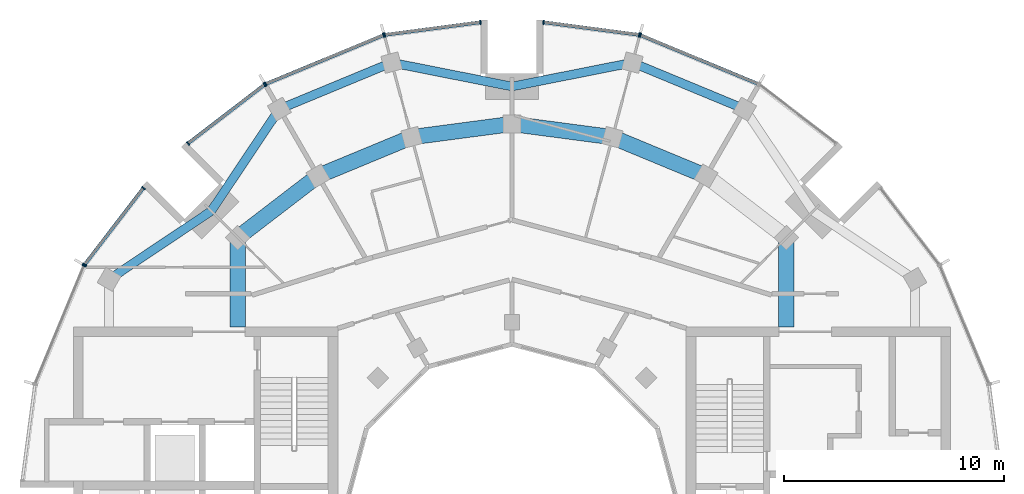
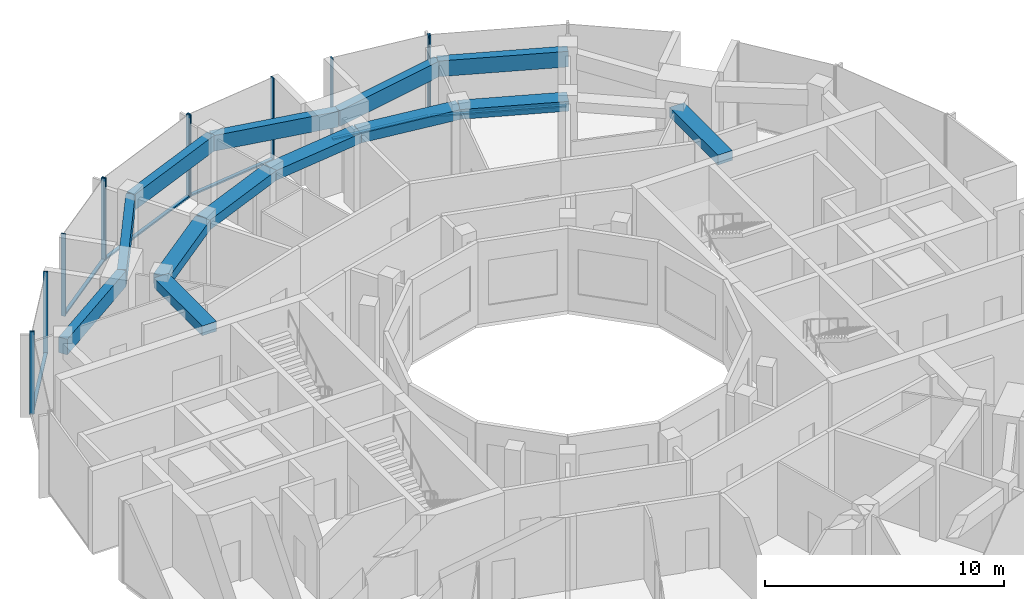
# One storey, part 5 of 14: 18 members, 13 beams, 7 elements without a shape of their own.
"""IFC4 building model written with IfcOpenShell, lengths in metres."""

from ifc_helpers import new_model, si_unit, direction, frame, origin, origin_2d, place, context, subcontext, project, spatial, rectangle, extrude, material, layer, layer_set, material_profile, profile_set, type_object, element, aggregate, save


model = new_model("IFC4")

# Units and contexts
model_context = context("Model", 3, precision=1e-05, world=origin(), true_north=direction((0.0, 1.0)))
body_context = subcontext(model_context, "Body", "Model", "MODEL_VIEW")
ifc_project = project(units=[si_unit("LENGTHUNIT", "METRE"), si_unit("AREAUNIT", "SQUARE_METRE"), si_unit("VOLUMEUNIT", "CUBIC_METRE"), si_unit("PLANEANGLEUNIT", "RADIAN"), si_unit("MASSUNIT", "GRAM", prefix="KILO")], contexts=[model_context])

# Site, building, storey
site_placement = place(None, origin())
site = spatial("IfcSite", under=ifc_project, at=site_placement, CompositionType="ELEMENT")
building_placement = place(site_placement, origin())
building = spatial("IfcBuilding", under=site, at=building_placement, Name="Torre Brocal", CompositionType="ELEMENT")
storey_placement = place(building_placement, frame((0.0, 0.0, 305.10009765625)))
storey = spatial("IfcBuildingStorey", under=building, at=storey_placement, Name="L70", CompositionType="ELEMENT", Elevation=305.10009765625)

# Curtain wall, member
ifc_material_1 = material(Name="Aluminium and glass", Category="aluminium")
ifc_layer = layer(ifc_material_1, 0.199951171875)
ifc_layer_set = layer_set([ifc_layer], Name="Aluminium and glass")
curtain_wall_type = type_object("IfcCurtainWallType", Name="CW-1 CURTAIN WALL 4200 HIGH", PredefinedType="NOTDEFINED", material=ifc_layer_set)
curtain_wall_1_placement = place(storey_placement, origin())
curtain_wall_1 = element("IfcCurtainWall", 1, at=curtain_wall_1_placement, inside=storey, type_object=curtain_wall_type, Name="CW-1 RUN 5", PredefinedType="NOTDEFINED")
ifc_material_2 = material(Name="Aluminium, dark anodised", Category="aluminium")
ifc_material_profile_1 = material_profile(ifc_material_2, rectangle(XDim=0.199951171875, YDim=0.06005859375, at=origin_2d()), Name="CW-1 MULLION 60X200")
ifc_profile_set_1 = profile_set([ifc_material_profile_1], Name="Aluminium, dark anodised")
member_type_1 = type_object("IfcMemberType", Name="CW-1 MULLION 60X200", PredefinedType="MULLION", material=ifc_profile_set_1)
member_1_placement = place(storey_placement, frame((85.824951171875, 96.62451171875, 0.0), z_axis=(0.0, 0.0, 1.0), x_axis=(-0.382683432284, -0.923879532545, 0.0)))
member_1 = element("IfcMember", 2, at=member_1_placement, type_object=member_type_1, Name="CW1-5 mullion 2", PredefinedType="MULLION", context=body_context, shape_type="SweptSolid", body=[
    extrude(rectangle(XDim=0.199951171875, YDim=0.06005859375, at=origin_2d()), origin(), (0.0, 0.0, 1.0), 4.199951171875),
])

# Curtain wall, members
curtain_wall_2_placement = place(storey_placement, origin())
curtain_wall_2 = element("IfcCurtainWall", 3, at=curtain_wall_2_placement, inside=storey, type_object=curtain_wall_type, Name="CW-1 RUN 6", PredefinedType="NOTDEFINED")
member_2_placement = place(storey_placement, frame((85.767578125, 96.639892578125, 0.0), z_axis=(0.0, 0.0, 1.0), x_axis=(-0.13052619222, -0.991444861374, 0.0)))
member_2 = element("IfcMember", 4, at=member_2_placement, type_object=member_type_1, Name="CW1-5 mullion 1", PredefinedType="MULLION", context=body_context, shape_type="SweptSolid", body=[
    extrude(rectangle(XDim=0.199951171875, YDim=0.06005859375, at=origin_2d()), origin(), (0.0, 0.0, 1.0), 4.199951171875),
])
member_3_placement = place(storey_placement, frame((81.4296875, 97.2109375, 0.0), z_axis=(0.0, 0.0, 1.0), x_axis=(-0.13052619222, -0.991444861374, 0.0)))
member_3 = element("IfcMember", 5, at=member_3_placement, type_object=member_type_1, Name="CW1-5 mullion 2", PredefinedType="MULLION", context=body_context, shape_type="SweptSolid", body=[
    extrude(rectangle(XDim=0.199951171875, YDim=0.06005859375, at=origin_2d()), origin(), (0.0, 0.0, 1.0), 4.199951171875),
])

curtain_wall_3_placement = place(storey_placement, origin())
curtain_wall_3 = element("IfcCurtainWall", 6, at=curtain_wall_3_placement, inside=storey, type_object=curtain_wall_type, Name="CW-1 RUN 7", PredefinedType="NOTDEFINED")
member_4_placement = place(storey_placement, frame((78.5703125, 97.2109375, 0.0), z_axis=(0.0, 0.0, 1.0), x_axis=(0.13052619222, -0.991444861374, 0.0)))
member_4 = element("IfcMember", 7, at=member_4_placement, type_object=member_type_1, Name="CW1-5 mullion 1", PredefinedType="MULLION", context=body_context, shape_type="SweptSolid", body=[
    extrude(rectangle(XDim=0.199951171875, YDim=0.06005859375, at=origin_2d()), origin(), (0.0, 0.0, 1.0), 4.199951171875),
])
member_5_placement = place(storey_placement, frame((74.232421875, 96.639892578125, 0.0), z_axis=(0.0, 0.0, 1.0), x_axis=(0.13052619222, -0.991444861374, 0.0)))
member_5 = element("IfcMember", 8, at=member_5_placement, type_object=member_type_1, Name="CW1-5 mullion 2", PredefinedType="MULLION", context=body_context, shape_type="SweptSolid", body=[
    extrude(rectangle(XDim=0.199951171875, YDim=0.06005859375, at=origin_2d()), origin(), (0.0, 0.0, 1.0), 4.199951171875),
])

curtain_wall_4_placement = place(storey_placement, origin())
curtain_wall_4 = element("IfcCurtainWall", 9, at=curtain_wall_4_placement, inside=storey, type_object=curtain_wall_type, Name="CW-1 RUN 8", PredefinedType="NOTDEFINED")
member_6_placement = place(storey_placement, frame((74.175048828125, 96.62451171875, 0.0), z_axis=(0.0, 0.0, 1.0), x_axis=(0.382683432284, -0.923879532545, 0.0)))
member_6 = element("IfcMember", 10, at=member_6_placement, type_object=member_type_1, Name="CW1-5 mullion 1", PredefinedType="MULLION", context=body_context, shape_type="SweptSolid", body=[
    extrude(rectangle(XDim=0.199951171875, YDim=0.06005859375, at=origin_2d()), origin(), (0.0, 0.0, 1.0), 4.199951171875),
])
member_7_placement = place(storey_placement, frame((68.828125, 94.40966796875, 0.0), z_axis=(0.0, 0.0, 1.0), x_axis=(0.382683432284, -0.923879532545, 0.0)))
member_7 = element("IfcMember", 11, at=member_7_placement, type_object=member_type_1, Name="CW1-5 mullion 2", PredefinedType="MULLION", context=body_context, shape_type="SweptSolid", body=[
    extrude(rectangle(XDim=0.199951171875, YDim=0.06005859375, at=origin_2d()), origin(), (0.0, 0.0, 1.0), 4.199951171875),
])

curtain_wall_5_placement = place(storey_placement, origin())
curtain_wall_5 = element("IfcCurtainWall", 12, at=curtain_wall_5_placement, inside=storey, type_object=curtain_wall_type, Name="CW-1 RUN 9", PredefinedType="NOTDEFINED")
member_8_placement = place(storey_placement, frame((68.776611328125, 94.3798828125, 0.0), z_axis=(0.0, 0.0, 1.0), x_axis=(0.608761429064, -0.793353340249, 0.0)))
member_8 = element("IfcMember", 13, at=member_8_placement, type_object=member_type_1, Name="CW1-5 mullion 1", PredefinedType="MULLION", context=body_context, shape_type="SweptSolid", body=[
    extrude(rectangle(XDim=0.199951171875, YDim=0.06005859375, at=origin_2d()), origin(), (0.0, 0.0, 1.0), 4.199951171875),
])
member_9_placement = place(storey_placement, frame((65.305419921875, 91.716552734375, 0.0), z_axis=(0.0, 0.0, 1.0), x_axis=(0.608761429064, -0.793353340249, 0.0)))
member_9 = element("IfcMember", 14, at=member_9_placement, type_object=member_type_1, Name="CW1-5 mullion 2", PredefinedType="MULLION", context=body_context, shape_type="SweptSolid", body=[
    extrude(rectangle(XDim=0.199951171875, YDim=0.06005859375, at=origin_2d()), origin(), (0.0, 0.0, 1.0), 4.199951171875),
])

curtain_wall_6_placement = place(storey_placement, origin())
curtain_wall_6 = element("IfcCurtainWall", 15, at=curtain_wall_6_placement, inside=storey, type_object=curtain_wall_type, Name="CW-1 RUN 10", PredefinedType="NOTDEFINED")
member_10_placement = place(storey_placement, frame((63.283447265625, 89.694580078125, 0.0), z_axis=(0.0, 0.0, 1.0), x_axis=(0.793353340249, -0.608761429064, 0.0)))
member_10 = element("IfcMember", 16, at=member_10_placement, type_object=member_type_1, Name="CW1-5 mullion 1", PredefinedType="MULLION", context=body_context, shape_type="SweptSolid", body=[
    extrude(rectangle(XDim=0.199951171875, YDim=0.06005859375, at=origin_2d()), origin(), (0.0, 0.0, 1.0), 4.199951171875),
])
member_11_placement = place(storey_placement, frame((60.6201171875, 86.223388671875, 0.0), z_axis=(0.0, 0.0, 1.0), x_axis=(0.793353340249, -0.608761429064, 0.0)))
member_11 = element("IfcMember", 17, at=member_11_placement, type_object=member_type_1, Name="CW1-5 mullion 2", PredefinedType="MULLION", context=body_context, shape_type="SweptSolid", body=[
    extrude(rectangle(XDim=0.199951171875, YDim=0.06005859375, at=origin_2d()), origin(), (0.0, 0.0, 1.0), 4.199951171875),
])

# Curtain wall, member
curtain_wall_7_placement = place(storey_placement, origin())
curtain_wall_7 = element("IfcCurtainWall", 18, at=curtain_wall_7_placement, inside=storey, type_object=curtain_wall_type, Name="CW-1 RUN 11", PredefinedType="NOTDEFINED")
member_12_placement = place(storey_placement, frame((60.59033203125, 86.171875, 0.0), z_axis=(0.0, 0.0, 1.0), x_axis=(0.923879532545, -0.382683432284, 0.0)))
member_12 = element("IfcMember", 19, at=member_12_placement, type_object=member_type_1, Name="CW1-5 mullion 1", PredefinedType="MULLION", context=body_context, shape_type="SweptSolid", body=[
    extrude(rectangle(XDim=0.199951171875, YDim=0.06005859375, at=origin_2d()), origin(), (0.0, 0.0, 1.0), 4.199951171875),
])
aggregate(curtain_wall_7, [member_12])

# Member
ifc_material_3 = material(Name="Aluminium, dark anodised", Category="aluminium")
ifc_material_profile_2 = material_profile(ifc_material_3, rectangle(XDim=0.159912109375, YDim=0.080078125, at=origin_2d()), Name="CW-1 TRANSOM 160X80")
ifc_profile_set_2 = profile_set([ifc_material_profile_2], Name="Aluminium, dark anodised")
member_type_2 = type_object("IfcMemberType", Name="CW-1 TRANSOM 160X80", PredefinedType="USERDEFINED", material=ifc_profile_set_2)
member_13_placement = place(storey_placement, frame((91.14404296875, 94.421142578125, 0.039794921875), z_axis=(-0.923868236854, 0.382710701355, 0.0), x_axis=(-0.382710701355, -0.923868236854, 0.0)))
member_13 = element("IfcMember", 20, at=member_13_placement, type_object=member_type_2, Name="CW1-5 transom 1.1", ObjectType="TRANSOM", PredefinedType="USERDEFINED", context=body_context, shape_type="SweptSolid", body=[
    extrude(rectangle(XDim=0.159912109375, YDim=0.080078125, at=origin_2d()), origin(), (0.0, 0.0, 1.0), 5.727294921875),
])

aggregate(curtain_wall_1, [member_1, member_13])

member_14_placement = place(storey_placement, frame((85.73779296875, 96.643798828125, 0.039794921875), z_axis=(-0.991445435136, 0.130521833991, 0.0), x_axis=(-0.130521833991, -0.991445435136, 0.0)))
member_14 = element("IfcMember", 21, at=member_14_placement, type_object=member_type_2, Name="CW1-5 transom 1.1", ObjectType="TRANSOM", PredefinedType="USERDEFINED", context=body_context, shape_type="SweptSolid", body=[
    extrude(rectangle(XDim=0.159912109375, YDim=0.080078125, at=origin_2d()), origin(), (0.0, 0.0, 1.0), 4.315185546875),
])

aggregate(curtain_wall_2, [member_2, member_3, member_14])

member_15_placement = place(storey_placement, frame((78.54052734375, 97.20703125, 0.039794921875), z_axis=(-0.991445435136, -0.130521833991, 0.0), x_axis=(0.130521833991, -0.991445435136, 0.0)))
member_15 = element("IfcMember", 22, at=member_15_placement, type_object=member_type_2, Name="CW1-5 transom 1.1", ObjectType="TRANSOM", PredefinedType="USERDEFINED", context=body_context, shape_type="SweptSolid", body=[
    extrude(rectangle(XDim=0.159912109375, YDim=0.080078125, at=origin_2d()), origin(), (0.0, 0.0, 1.0), 4.315185546875),
])

aggregate(curtain_wall_3, [member_4, member_5, member_15])

member_16_placement = place(storey_placement, frame((74.147216796875, 96.613037109375, 0.039794921875), z_axis=(-0.923868236854, -0.382710701355, 0.0), x_axis=(0.382710701355, -0.923868236854, 0.0)))
member_16 = element("IfcMember", 23, at=member_16_placement, type_object=member_type_2, Name="CW1-5 transom 1.1", ObjectType="TRANSOM", PredefinedType="USERDEFINED", context=body_context, shape_type="SweptSolid", body=[
    extrude(rectangle(XDim=0.159912109375, YDim=0.080078125, at=origin_2d()), origin(), (0.0, 0.0, 1.0), 5.727294921875),
])

aggregate(curtain_wall_4, [member_6, member_7, member_16])

member_17_placement = place(storey_placement, frame((68.7529296875, 94.36181640625, 0.039794921875), z_axis=(-0.793332201462, -0.608788976677, 0.0), x_axis=(0.608788976677, -0.793332201462, 0.0)))
member_17 = element("IfcMember", 24, at=member_17_placement, type_object=member_type_2, Name="CW1-5 transom 1.1", ObjectType="TRANSOM", PredefinedType="USERDEFINED", context=body_context, shape_type="SweptSolid", body=[
    extrude(rectangle(XDim=0.159912109375, YDim=0.080078125, at=origin_2d()), origin(), (0.0, 0.0, 1.0), 4.3154296875),
])

aggregate(curtain_wall_5, [member_8, member_9, member_17])

member_18_placement = place(storey_placement, frame((63.265380859375, 89.670654296875, 0.039794921875), z_axis=(-0.608788976677, -0.793332201462, 0.0), x_axis=(0.793332201462, -0.608788976677, 0.0)))
member_18 = element("IfcMember", 25, at=member_18_placement, type_object=member_type_2, Name="CW1-5 transom 1.1", ObjectType="TRANSOM", PredefinedType="USERDEFINED", context=body_context, shape_type="SweptSolid", body=[
    extrude(rectangle(XDim=0.159912109375, YDim=0.080078125, at=origin_2d()), origin(), (0.0, 0.0, 1.0), 4.3154296875),
])

aggregate(curtain_wall_6, [member_10, member_11, member_18])

# Beams
ifc_material_4 = material(Name="Concrete C50", Category="concrete")
ifc_material_profile_3 = material_profile(ifc_material_4, rectangle(XDim=0.699951171875, YDim=0.5, at=origin_2d()), Name="RC 700X500")
ifc_profile_set_3 = profile_set([ifc_material_profile_3], Name="Concrete C50")
beam_type_1 = type_object("IfcBeamType", Name="RC BEAM 700X500 C50 TOP 3850", PredefinedType="BEAM", material=ifc_profile_set_3)
beam_1_placement = place(storey_placement, frame((88.800048828125, 90.241943359375, 3.599853515625), z_axis=(-0.923878240166, 0.382686552348, 0.0), x_axis=(-0.382686552348, -0.923878240166, 0.0)))
element("IfcBeam", 26, at=beam_1_placement, inside=storey, type_object=beam_type_1, Name="Beam BT-48", PredefinedType="BEAM", context=body_context, shape_type="SweptSolid", body=[
    extrude(rectangle(XDim=0.699951171875, YDim=0.5, at=origin_2d()), origin(), (0.0, 0.0, 1.0), 4.5947265625),
])
for number, where, z_axis, x_axis, name in (
    (27, (84.55517578125, 92.000244140625, 3.599853515625), (-0.991440544449, 0.130558978332, 0.0), (-0.130558978332, -0.991440544449, 0.0), "Beam BT-48"),
    (28, (80.0, 92.60009765625, 3.599853515625), (-0.991440544449, -0.130558978332, 0.0), (0.130558978332, -0.991440544449, 0.0), "Beam BT-48"),
):
    element("IfcBeam", number, at=place(storey_placement, frame(where, z_axis=z_axis, x_axis=x_axis)), inside=storey, type_object=beam_type_1, Name=name, PredefinedType="BEAM", context=body_context, shape_type="SweptSolid", body=[
        extrude(rectangle(XDim=0.699951171875, YDim=0.5, at=origin_2d()), origin(), (0.0, 0.0, 1.0), 4.594482421875),
    ])
beam_2_placement = place(storey_placement, frame((75.44482421875, 92.000244140625, 3.599853515625), z_axis=(-0.923878240166, -0.382686552348, 0.0), x_axis=(0.382686552348, -0.923878240166, 0.0)))
element("IfcBeam", 29, at=beam_2_placement, inside=storey, type_object=beam_type_1, Name="Beam BT-48", PredefinedType="BEAM", context=body_context, shape_type="SweptSolid", body=[
    extrude(rectangle(XDim=0.699951171875, YDim=0.5, at=origin_2d()), origin(), (0.0, 0.0, 1.0), 4.5947265625),
])
beam_3_placement = place(storey_placement, frame((71.199951171875, 90.241943359375, 3.599853515625), z_axis=(-0.793358265959, -0.6087550097, 0.0), x_axis=(0.6087550097, -0.793358265959, 0.0)))
element("IfcBeam", 30, at=beam_3_placement, inside=storey, type_object=beam_type_1, Name="Beam BT-48", PredefinedType="BEAM", context=body_context, shape_type="SweptSolid", body=[
    extrude(rectangle(XDim=0.699951171875, YDim=0.5, at=origin_2d()), origin(), (0.0, 0.0, 1.0), 4.594482421875),
])
for number, where, z_axis, x_axis, name in (
    (31, (67.554931640625, 87.445068359375, 3.599853515625), (0.0, -1.0, 0.0), (1.0, 0.0, 0.0), "Beam BT-48"),
    (32, (92.445068359375, 87.445068359375, 3.599853515625), (0.0, -1.0, 0.0), (1.0, 0.0, 0.0), "Beam BT-48"),
):
    element("IfcBeam", number, at=place(storey_placement, frame(where, z_axis=z_axis, x_axis=x_axis)), inside=storey, type_object=beam_type_1, Name=name, PredefinedType="BEAM", context=body_context, shape_type="SweptSolid", body=[
        extrude(rectangle(XDim=0.699951171875, YDim=0.5, at=origin_2d()), origin(), (0.0, 0.0, 1.0), 4.045166015625),
    ])
ifc_material_5 = material(Name="Concrete C50", Category="concrete")
ifc_material_profile_4 = material_profile(ifc_material_5, rectangle(XDim=0.39990234375, YDim=0.800048828125, at=origin_2d()), Name="RC 400X800")
ifc_profile_set_4 = profile_set([ifc_material_profile_4], Name="Concrete C50")
beam_type_2 = type_object("IfcBeamType", Name="RC SPANDREL BEAM 400X800 C50 TOP 3850", PredefinedType="SPANDREL", material=ifc_profile_set_4)
beam_4_placement = place(storey_placement, frame((90.550048828125, 93.273193359375, 3.449951171875), z_axis=(-0.923877456038, 0.382688445377, 0.0), x_axis=(-0.382688445377, -0.923877456038, 0.0)))
element("IfcBeam", 33, at=beam_4_placement, inside=storey, type_object=beam_type_2, Name="Beam BT-49", PredefinedType="SPANDREL", context=body_context, shape_type="SweptSolid", body=[
    extrude(rectangle(XDim=0.39990234375, YDim=0.800048828125, at=origin_2d()), origin(), (0.0, 0.0, 1.0), 5.508056640625),
])
for number, where, z_axis, x_axis, name in (
    (34, (85.461181640625, 95.381103515625, 3.449951171875), (-0.980965024419, -0.194184502129, 0.0), (0.194184502129, -0.980965024419, 0.0), "Beam BT-49"),
    (35, (80.0, 94.300048828125, 3.449951171875), (-0.980965024419, 0.194184502129, 0.0), (-0.194184502129, -0.980965024419, 0.0), "Beam BT-49"),
):
    element("IfcBeam", number, at=place(storey_placement, frame(where, z_axis=z_axis, x_axis=x_axis)), inside=storey, type_object=beam_type_2, Name=name, PredefinedType="SPANDREL", context=body_context, shape_type="SweptSolid", body=[
        extrude(rectangle(XDim=0.39990234375, YDim=0.800048828125, at=origin_2d()), origin(), (0.0, 0.0, 1.0), 5.567138671875),
    ])
beam_5_placement = place(storey_placement, frame((74.538818359375, 95.381103515625, 3.449951171875), z_axis=(-0.923877456038, -0.382688445377, 0.0), x_axis=(0.382688445377, -0.923877456038, 0.0)))
element("IfcBeam", 36, at=beam_5_placement, inside=storey, type_object=beam_type_2, Name="Beam BT-49", PredefinedType="SPANDREL", context=body_context, shape_type="SweptSolid", body=[
    extrude(rectangle(XDim=0.39990234375, YDim=0.800048828125, at=origin_2d()), origin(), (0.0, 0.0, 1.0), 5.508056640625),
])
for number, where, z_axis, x_axis, name in (
    (37, (69.449951171875, 93.273193359375, 3.449951171875), (-0.556338604247, -0.830955689206, 0.0), (0.830955689206, -0.556338604247, 0.0), "Beam BT-49"),
    (38, (66.352783203125, 88.647216796875, 3.449951171875), (-0.830955689206, -0.556338604247, 0.0), (0.556338604247, -0.830955689206, 0.0), "Beam BT-49"),
):
    element("IfcBeam", number, at=place(storey_placement, frame(where, z_axis=z_axis, x_axis=x_axis)), inside=storey, type_object=beam_type_2, Name=name, PredefinedType="SPANDREL", context=body_context, shape_type="SweptSolid", body=[
        extrude(rectangle(XDim=0.39990234375, YDim=0.800048828125, at=origin_2d()), origin(), (0.0, 0.0, 1.0), 5.567138671875),
    ])

save(model, "model.ifc")
